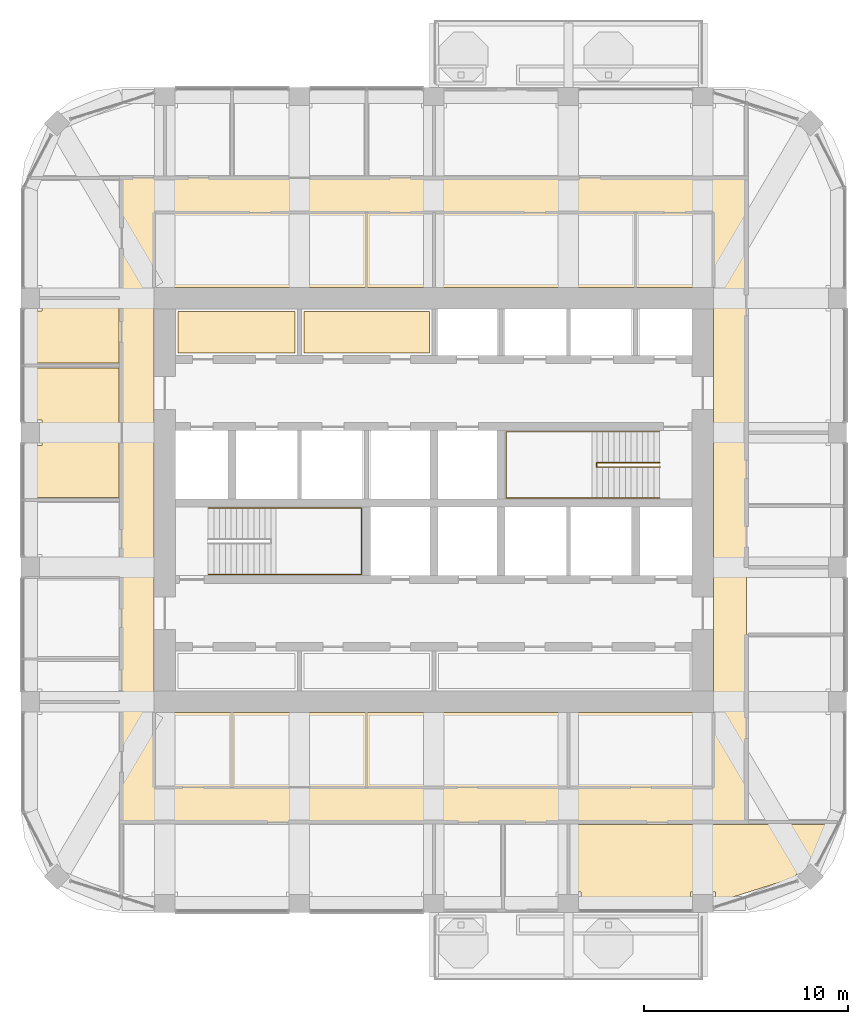
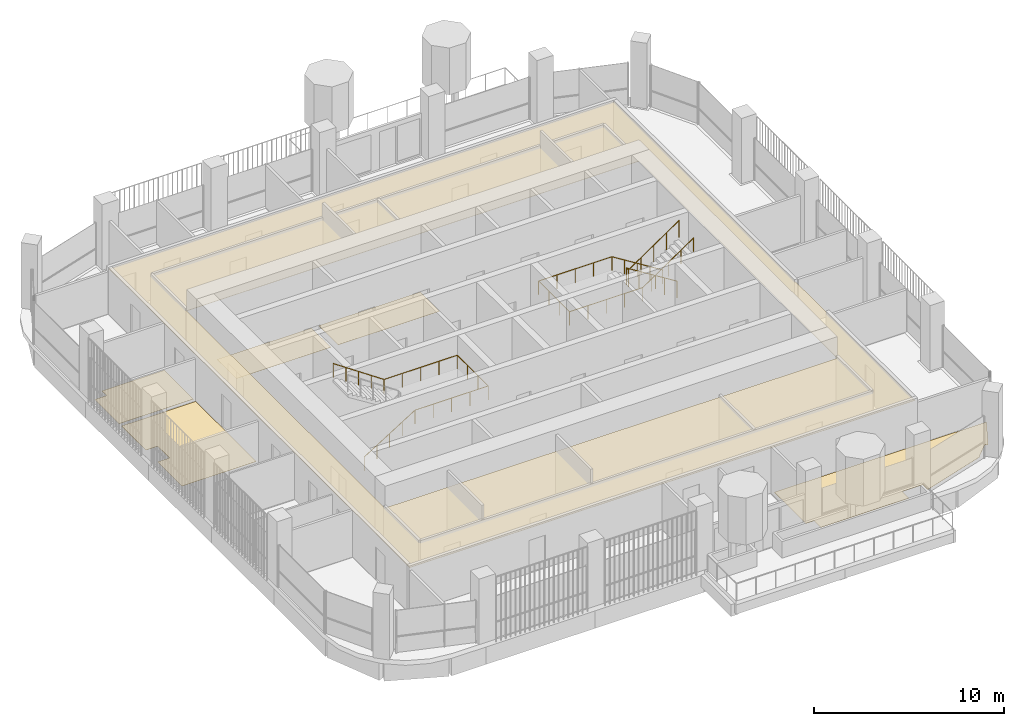
# One storey, part 19 of 21: 6 coverings, 3 railings.
"""IFC4 building model written with IfcOpenShell, lengths in metres."""

import ifcopenshell
import ifcopenshell.guid

model = None  # the IFC model being written
_history = None  # IfcOwnerHistory: only IFC2X3 demands one
_inside = {}  # id of a spatial element -> (the spatial element, [elements in it])
_under = {}  # id of a project, library or spatial element -> (it, [spatial elements below it])
_declared = {}  # id of a project -> (the project, [libraries it declares])
_typed = {}  # id of a type object -> (the type object, [elements of that type])
_made_of = {}  # id of a material, layer set ... -> (it, [elements and type objects made of it])


def new_model(schema):
    """Start an empty IFC model of exactly this schema.

    Asked for "IFC4X3", IfcOpenShell would pick the latest addendum, in which some entities
    have other attributes; the version numbers below select the first issue.
    IFC2X3 requires an IfcOwnerHistory on every rooted entity: one is made here for all.
    """
    global model, _history
    if schema == "IFC4X3":
        model = ifcopenshell.file(schema_version=(4, 3, 0, 0))
    else:
        model = ifcopenshell.file(schema=schema)
    _inside.clear()
    _under.clear()
    _declared.clear()
    _typed.clear()
    _made_of.clear()
    _history = None
    if model.schema == "IFC2X3":
        org = make("IfcOrganization", Name="unknown")
        user = make(
            "IfcPersonAndOrganization",
            ThePerson=make("IfcPerson", FamilyName="unknown"),
            TheOrganization=org,
        )
        app = make(
            "IfcApplication",
            ApplicationDeveloper=org,
            Version="unknown",
            ApplicationFullName="unknown",
            ApplicationIdentifier="unknown",
        )
        _history = make(
            "IfcOwnerHistory",
            OwningUser=user,
            OwningApplication=app,
            ChangeAction="ADDED",
            CreationDate=0,
        )
    return model


def make(cls, **values):
    """One entity of the class cls with the attributes given. An attribute that is None is left unset."""
    return model.create_entity(
        cls, **{name: value for name, value in values.items() if value is not None}
    )


def rooted(cls, **values):
    """An entity with a GlobalId (a new one), such as an element, a storey or a relation."""
    return make(cls, GlobalId=ifcopenshell.guid.new(), OwnerHistory=_history, **values)


def si_unit(unit_type, name, prefix=None):
    """IfcSIUnit, for example si_unit("LENGTHUNIT", "METRE", prefix="MILLI")."""
    return make("IfcSIUnit", UnitType=unit_type, Prefix=prefix, Name=name)


def assignment(units):
    """IfcUnitAssignment: the units of a project."""
    return None if units is None else make("IfcUnitAssignment", Units=units)


def point(xyz):
    """IfcCartesianPoint."""
    return None if xyz is None else make("IfcCartesianPoint", Coordinates=xyz)


def direction(xyz):
    """IfcDirection."""
    return None if xyz is None else make("IfcDirection", DirectionRatios=xyz)


def frame(location, z_axis=None, x_axis=None):
    """IfcAxis2Placement3D, a coordinate frame: its origin and axes. An axis left out is left unset."""
    return make(
        "IfcAxis2Placement3D",
        Location=point(location),
        Axis=direction(z_axis),
        RefDirection=direction(x_axis),
    )


def origin():
    """The frame at (0, 0, 0) with its axes left unset."""
    return frame((0.0, 0.0, 0.0))


def place(relative_to, where):
    """IfcLocalPlacement: puts the frame where relative to a parent placement (None: the world)."""
    return make(
        "IfcLocalPlacement", PlacementRelTo=relative_to, RelativePlacement=where
    )


def context(
    kind, dimensions, precision=None, world=None, true_north=None, identifier=None
):
    """IfcGeometricRepresentationContext, for example the 3D "Model" context."""
    return make(
        "IfcGeometricRepresentationContext",
        ContextIdentifier=identifier,
        ContextType=kind,
        CoordinateSpaceDimension=dimensions,
        Precision=precision,
        WorldCoordinateSystem=world,
        TrueNorth=true_north,
    )


def subcontext(parent, identifier, kind, view, scale=None):
    """IfcGeometricRepresentationSubContext, for example "Body" below "Model"."""
    return make(
        "IfcGeometricRepresentationSubContext",
        ContextIdentifier=identifier,
        ContextType=kind,
        ParentContext=parent,
        TargetScale=scale,
        TargetView=view,
    )


def project(units=None, contexts=None):
    """IfcProject with its units and contexts."""
    return rooted(
        "IfcProject",
        Name="project",
        RepresentationContexts=contexts,
        UnitsInContext=assignment(units),
    )


def spatial(cls, under=None, at=None, **own):
    """A site, building, storey or space (cls), placed at a placement, below another one or the project."""
    s = rooted(cls, ObjectPlacement=at, **own)
    if under is not None:
        _under.setdefault(under.id(), (under, []))[1].append(s)
    return s


def polyline(points):
    """IfcPolyline through the points."""
    return make("IfcPolyline", Points=[point(p) for p in points])


def outline(outer, holes=None, kind="AREA"):
    """IfcArbitraryClosedProfileDef: a profile drawn as a closed curve; with holes, ...WithVoids."""
    if holes is None:
        return make("IfcArbitraryClosedProfileDef", ProfileType=kind, OuterCurve=outer)
    return make(
        "IfcArbitraryProfileDefWithVoids",
        ProfileType=kind,
        OuterCurve=outer,
        InnerCurves=holes,
    )


def extrude(swept, where, along, depth):
    """IfcExtrudedAreaSolid: the profile swept, set in the frame where, extruded along a direction by depth."""
    return make(
        "IfcExtrudedAreaSolid",
        SweptArea=swept,
        Position=where,
        ExtrudedDirection=direction(along),
        Depth=depth,
    )


def shape(context_of_items, identifier, shape_type, items):
    """IfcShapeRepresentation: the items that make up one representation, for example the "Body"."""
    return make(
        "IfcShapeRepresentation",
        ContextOfItems=context_of_items,
        RepresentationIdentifier=identifier,
        RepresentationType=shape_type,
        Items=items,
    )


def material(Name=None, Category=None):
    """IfcMaterial."""
    return make("IfcMaterial", Name=Name, Category=Category)


def layer(
    of_material, thickness, ventilated=None, Name=None, Category=None, Priority=None
):
    """IfcMaterialLayer: one layer of a wall or slab, of a material (None: an air gap)."""
    return make(
        "IfcMaterialLayer",
        Material=of_material,
        LayerThickness=thickness,
        IsVentilated=ventilated,
        Name=Name,
        Category=Category,
        Priority=Priority,
    )


def layer_set(layers, Name=None):
    """IfcMaterialLayerSet."""
    return make("IfcMaterialLayerSet", MaterialLayers=layers, LayerSetName=Name)


def made_of(thing, what):
    """Note that an element or type object is made of a material, layer set ...; save() writes the relation."""
    if what is not None:
        _made_of.setdefault(what.id(), (what, []))[1].append(thing)
    return thing


def type_object(cls, material=None, **own):
    """A type object (cls), such as IfcWallType, which elements share."""
    return made_of(rooted(cls, **own), material)


def element(
    cls,
    number,
    at=None,
    inside=None,
    cuts=None,
    type_object=None,
    material=None,
    context=None,
    identifier="Body",
    shape_type=None,
    held_by="IfcProductDefinitionShape",
    body=None,
    shapes=None,
    **own,
):
    """One element of the class cls, such as IfcWall. Its Tag is "e" and its number.

    at: its placement. inside: the storey or other place that contains it. cuts: it is an
    opening in that element (IfcRelVoidsElement). A single representation is given by context,
    identifier, shape_type and body (its items); several are given by shapes. held_by: the class
    of the entity that holds the representations. save() writes the other relations.
    """
    e = rooted(cls, Tag="e%d" % number, ObjectPlacement=at, **own)
    if body is not None:
        shapes = [shape(context, identifier, shape_type, body)]
    if shapes is not None:
        e.Representation = make(held_by, Representations=shapes)
    if inside is not None:
        _inside.setdefault(inside.id(), (inside, []))[1].append(e)
    if cuts is not None:
        rooted(
            "IfcRelVoidsElement", RelatingBuildingElement=cuts, RelatedOpeningElement=e
        )
    if type_object is not None:
        _typed.setdefault(type_object.id(), (type_object, []))[1].append(e)
    return made_of(e, material)


def aggregate(whole, parts):
    """IfcRelAggregates: a whole, such as a stair, and the parts it consists of."""
    return rooted("IfcRelAggregates", RelatingObject=whole, RelatedObjects=parts)


def save(model, path):
    """Write the relations noted so far, then the file.

    IfcRelAggregates (storeys below a building ...), IfcRelContainedInSpatialStructure (elements
    in a storey), IfcRelDefinesByType, IfcRelAssociatesMaterial and IfcRelDeclares: one each for
    every whole, place, type object, material and project.
    """
    for whole, parts in _under.values():
        aggregate(whole, parts)
    for where, things in _inside.values():
        rooted(
            "IfcRelContainedInSpatialStructure",
            RelatedElements=things,
            RelatingStructure=where,
        )
    for kind, things in _typed.values():
        rooted("IfcRelDefinesByType", RelatedObjects=things, RelatingType=kind)
    for what, things in _made_of.values():
        rooted("IfcRelAssociatesMaterial", RelatedObjects=things, RelatingMaterial=what)
    for by, libraries in _declared.values():
        rooted("IfcRelDeclares", RelatingContext=by, RelatedDefinitions=libraries)
    model.write(path)


model = new_model("IFC4")

# Units and contexts
model_context = context("Model", 3, precision=1e-05, world=origin(), true_north=direction((0.0, 1.0)))
body_context = subcontext(model_context, "Body", "Model", "MODEL_VIEW")
ifc_project = project(units=[si_unit("LENGTHUNIT", "METRE"), si_unit("AREAUNIT", "SQUARE_METRE"), si_unit("VOLUMEUNIT", "CUBIC_METRE"), si_unit("PLANEANGLEUNIT", "RADIAN"), si_unit("MASSUNIT", "GRAM", prefix="KILO")], contexts=[model_context])

# Site, building, storey
site_placement = place(None, origin())
site = spatial("IfcSite", under=ifc_project, at=site_placement, CompositionType="ELEMENT")
building_placement = place(site_placement, origin())
building = spatial("IfcBuilding", under=site, at=building_placement, Name="Cobogo Forest Laboratory Tower", CompositionType="ELEMENT")
storey_placement = place(building_placement, frame((0.0, 0.0, 267.0)))
storey = spatial("IfcBuildingStorey", under=building, at=storey_placement, Name="L61", CompositionType="ELEMENT", Elevation=267.0)

# Coverings
ifc_material_1 = material(Name="Mineral fibre ceiling tile", Category="ceiling")
ifc_layer_1 = layer(ifc_material_1, 0.02001953125)
ifc_layer_set_1 = layer_set([ifc_layer_1], Name="CL1 suspended ceiling")
covering_type_1 = type_object("IfcCoveringType", Name="CL1 suspended ceiling", PredefinedType="CEILING", material=ifc_layer_set_1)
covering_1_placement = place(storey_placement, frame((0.0, 0.0, 2.800048828125)))
element("IfcCovering", 1, at=covering_1_placement, inside=storey, type_object=covering_type_1, Name="Corridor ceiling L61", PredefinedType="CEILING", context=body_context, shape_type="SweptSolid", body=[
    extrude(outline(polyline([(11.074951171875, 7.300048828125), (11.074951171875, 38.89990234375), (41.72509765625, 38.89990234375), (41.72509765625, 7.300048828125), (11.074951171875, 7.300048828125)]), holes=[polyline([(40.125, 33.52490234375), (12.675048828125, 33.52490234375), (12.675048828125, 12.675048828125), (40.125, 12.675048828125), (40.125, 33.52490234375)])]), origin(), (0.0, 0.0, 1.0), 0.02001953125),
])
ifc_material_2 = material(Name="Carpet tile on raised access floor", Category="flooring")
ifc_layer_2 = layer(ifc_material_2, 0.008056640625)
ifc_layer_set_2 = layer_set([ifc_layer_2], Name="CT1 carpet tile floor 8")
covering_type_2 = type_object("IfcCoveringType", Name="CT1 carpet tile floor 8", PredefinedType="FLOORING", material=ifc_layer_set_2)
covering_2_placement = place(storey_placement, origin())
element("IfcCovering", 2, at=covering_2_placement, inside=storey, type_object=covering_type_2, Name="Carpet floor L61-12", PredefinedType="FLOORING", context=body_context, shape_type="SweptSolid", body=[
    extrude(outline(polyline([(44.10986328125, 4.583984375), (40.219970703125, 3.35546875), (40.219970703125, 3.8701171875), (38.97998046875, 3.8701171875), (38.97998046875, 3.14990234375), (33.6201171875, 3.14990234375), (33.6201171875, 3.8701171875), (33.1201171875, 3.8701171875), (33.1201171875, 7.179931640625), (45.999267578125, 7.179931640625), (45.010986328125, 5.294921875), (44.882080078125, 5.424072265625), (44.075927734375, 4.617919921875), (44.10986328125, 4.583984375)])), origin(), (0.0, 0.0, 1.0), 0.008056640625),
])
covering_3_placement = place(storey_placement, origin())
element("IfcCovering", 3, at=covering_3_placement, inside=storey, type_object=covering_type_2, Name="Carpet floor L61-26", PredefinedType="FLOORING", context=body_context, shape_type="SweptSolid", body=[
    extrude(outline(polyline([(10.955078125, 23.219970703125), (6.449951171875, 23.219970703125), (6.449951171875, 25.780029296875), (7.169921875, 25.780029296875), (7.169921875, 27.02001953125), (6.449951171875, 27.02001953125), (6.449951171875, 29.580078125), (10.955078125, 29.580078125), (10.955078125, 23.219970703125)])), origin(), (0.0, 0.0, 1.0), 0.008056640625),
])
covering_4_placement = place(storey_placement, origin())
element("IfcCovering", 4, at=covering_4_placement, inside=storey, type_object=covering_type_2, Name="Carpet floor L61-27", PredefinedType="FLOORING", context=body_context, shape_type="SweptSolid", body=[
    extrude(outline(polyline([(10.955078125, 29.820068359375), (6.449951171875, 29.820068359375), (6.449951171875, 32.3798828125), (7.169921875, 32.3798828125), (7.169921875, 32.8798828125), (10.955078125, 32.8798828125), (10.955078125, 29.820068359375)])), origin(), (0.0, 0.0, 1.0), 0.008056640625),
])
covering_5_placement = place(storey_placement, origin())
element("IfcCovering", 5, at=covering_5_placement, inside=storey, type_object=covering_type_2, Name="Carpet floor L61-39", PredefinedType="FLOORING", context=body_context, shape_type="SweptSolid", body=[
    extrude(outline(polyline([(19.580078125, 30.320068359375), (13.844970703125, 30.320068359375), (13.844970703125, 32.35498046875), (19.580078125, 32.35498046875), (19.580078125, 30.320068359375)])), origin(), (0.0, 0.0, 1.0), 0.008056640625),
])
covering_6_placement = place(storey_placement, origin())
element("IfcCovering", 6, at=covering_6_placement, inside=storey, type_object=covering_type_2, Name="Carpet floor L61-40", PredefinedType="FLOORING", context=body_context, shape_type="SweptSolid", body=[
    extrude(outline(polyline([(26.179931640625, 30.320068359375), (20.02001953125, 30.320068359375), (20.02001953125, 32.35498046875), (26.179931640625, 32.35498046875), (26.179931640625, 30.320068359375)])), origin(), (0.0, 0.0, 1.0), 0.008056640625),
])

# Railings
ifc_material_3 = material(Name="Steel balustrade", Category="steel")
railing_type_1 = type_object("IfcRailingType", Name="GR stair guard 1100", PredefinedType="GUARDRAIL", material=ifc_material_3)
railing_1_placement = place(storey_placement, frame((37.47509765625, 24.929931640625, 0.175048828125)))
element("IfcRailing", 7, at=railing_1_placement, inside=storey, type_object=railing_type_1, Name="Stair guard ST2 L61", PredefinedType="GUARDRAIL", context=body_context, shape_type="SweptSolid", body=[
    extrude(outline(polyline([(0.022216796875, 0.00927734375), (0.00927734375, 0.022216796875), (-0.00927734375, 0.022216796875), (-0.022216796875, 0.00927734375), (-0.022216796875, -0.00927734375), (-0.00927734375, -0.022216796875), (0.00927734375, -0.022216796875), (0.022216796875, -0.00927734375), (0.022216796875, 0.00927734375)])), frame((0.0, 0.0, 1.077880859375), z_axis=(-0.847998304005, 0.0, 0.529998940003), x_axis=(0.0, -1.0, 0.0)), (0.0, 0.0, 1.0), 3.632080078125),
    extrude(outline(polyline([(0.022216796875, 0.00927734375), (0.00927734375, 0.022216796875), (-0.00927734375, 0.022216796875), (-0.022216796875, 0.00927734375), (-0.022216796875, -0.00927734375), (-0.00927734375, -0.022216796875), (0.00927734375, -0.022216796875), (0.022216796875, -0.00927734375), (0.022216796875, 0.00927734375)])), frame((-3.080078125, 0.0, 3.0029296875), z_axis=(0.0, -1.0, 0.0), x_axis=(1.0, 0.0, 0.0)), (0.0, 0.0, 1.0), 0.2099609375),
    extrude(outline(polyline([(0.022216796875, 0.00927734375), (0.00927734375, 0.022216796875), (-0.00927734375, 0.022216796875), (-0.022216796875, 0.00927734375), (-0.022216796875, -0.00927734375), (-0.00927734375, -0.022216796875), (0.00927734375, -0.022216796875), (0.022216796875, -0.00927734375), (0.022216796875, 0.00927734375)])), frame((-3.080078125, -0.2099609375, 3.0029296875), z_axis=(0.826252282691, 0.0, 0.563300244406), x_axis=(0.0, 1.0, 0.0)), (0.0, 0.0, 1.0), 3.727783203125),
    extrude(outline(polyline([(0.019287109375, 0.008056640625), (0.008056640625, 0.019287109375), (-0.008056640625, 0.019287109375), (-0.019287109375, 0.008056640625), (-0.019287109375, -0.008056640625), (-0.008056640625, -0.019287109375), (0.008056640625, -0.019287109375), (0.019287109375, -0.008056640625), (0.019287109375, 0.008056640625)])), origin(), (0.0, 0.0, 1.0), 1.077880859375),
    extrude(outline(polyline([(0.019287109375, 0.008056640625), (0.008056640625, 0.019287109375), (-0.008056640625, 0.019287109375), (-0.019287109375, 0.008056640625), (-0.019287109375, -0.008056640625), (-0.008056640625, -0.019287109375), (0.008056640625, -0.019287109375), (0.019287109375, -0.008056640625), (0.019287109375, 0.008056640625)])), frame((-0.77001953125, 0.0, 0.481201171875)), (0.0, 0.0, 1.0), 1.077880859375),
    extrude(outline(polyline([(0.019287109375, 0.008056640625), (0.008056640625, 0.019287109375), (-0.008056640625, 0.019287109375), (-0.019287109375, 0.008056640625), (-0.019287109375, -0.008056640625), (-0.008056640625, -0.019287109375), (0.008056640625, -0.019287109375), (0.019287109375, -0.008056640625), (0.019287109375, 0.008056640625)])), frame((-1.5400390625, 0.0, 0.96240234375)), (0.0, 0.0, 1.0), 1.077880859375),
    extrude(outline(polyline([(0.019287109375, 0.008056640625), (0.008056640625, 0.019287109375), (-0.008056640625, 0.019287109375), (-0.019287109375, 0.008056640625), (-0.019287109375, -0.008056640625), (-0.008056640625, -0.019287109375), (0.008056640625, -0.019287109375), (0.019287109375, -0.008056640625), (0.019287109375, 0.008056640625)])), frame((-2.31005859375, 0.0, 1.44384765625)), (0.0, 0.0, 1.0), 1.077880859375),
    extrude(outline(polyline([(0.019287109375, 0.008056640625), (0.008056640625, 0.019287109375), (-0.008056640625, 0.019287109375), (-0.019287109375, 0.008056640625), (-0.019287109375, -0.008056640625), (-0.008056640625, -0.019287109375), (0.008056640625, -0.019287109375), (0.019287109375, -0.008056640625), (0.019287109375, 0.008056640625)])), frame((-3.080078125, 0.0, 1.925048828125)), (0.0, 0.0, 1.0), 1.077880859375),
    extrude(outline(polyline([(0.019287109375, 0.008056640625), (0.008056640625, 0.019287109375), (-0.008056640625, 0.019287109375), (-0.019287109375, 0.008056640625), (-0.019287109375, -0.008056640625), (-0.008056640625, -0.019287109375), (0.008056640625, -0.019287109375), (0.019287109375, -0.008056640625), (0.019287109375, 0.008056640625)])), frame((-3.080078125, -0.2099609375, 1.925048828125)), (0.0, 0.0, 1.0), 1.077880859375),
    extrude(outline(polyline([(0.019287109375, 0.008056640625), (0.008056640625, 0.019287109375), (-0.008056640625, 0.019287109375), (-0.019287109375, 0.008056640625), (-0.019287109375, -0.008056640625), (-0.008056640625, -0.019287109375), (0.008056640625, -0.019287109375), (0.019287109375, -0.008056640625), (0.019287109375, 0.008056640625)])), frame((-2.31005859375, -0.2099609375, 2.449951171875)), (0.0, 0.0, 1.0), 1.077880859375),
    extrude(outline(polyline([(0.019287109375, 0.008056640625), (0.008056640625, 0.019287109375), (-0.008056640625, 0.019287109375), (-0.019287109375, 0.008056640625), (-0.019287109375, -0.008056640625), (-0.008056640625, -0.019287109375), (0.008056640625, -0.019287109375), (0.019287109375, -0.008056640625), (0.019287109375, 0.008056640625)])), frame((-1.5400390625, -0.2099609375, 2.97509765625)), (0.0, 0.0, 1.0), 1.077880859375),
    extrude(outline(polyline([(0.019287109375, 0.008056640625), (0.008056640625, 0.019287109375), (-0.008056640625, 0.019287109375), (-0.019287109375, 0.008056640625), (-0.019287109375, -0.008056640625), (-0.008056640625, -0.019287109375), (0.008056640625, -0.019287109375), (0.019287109375, -0.008056640625), (0.019287109375, 0.008056640625)])), frame((-0.77001953125, -0.2099609375, 3.5)), (0.0, 0.0, 1.0), 1.077880859375),
    extrude(outline(polyline([(0.019287109375, 0.008056640625), (0.008056640625, 0.019287109375), (-0.008056640625, 0.019287109375), (-0.019287109375, 0.008056640625), (-0.019287109375, -0.008056640625), (-0.008056640625, -0.019287109375), (0.008056640625, -0.019287109375), (0.019287109375, -0.008056640625), (0.019287109375, 0.008056640625)])), frame((0.0, -0.2099609375, 4.02490234375)), (0.0, 0.0, 1.0), 1.077880859375),
])
ifc_material_4 = material(Name="Stainless steel handrail", Category="steel")
railing_type_2 = type_object("IfcRailingType", Name="HR handrail 900", PredefinedType="HANDRAIL", material=ifc_material_4)
railing_2_placement = place(storey_placement, frame((15.324951171875, 19.449951171875, 0.175048828125)))
element("IfcRailing", 8, at=railing_2_placement, inside=storey, type_object=railing_type_2, Name="Stair handrail ST1 L61", PredefinedType="HANDRAIL", context=body_context, shape_type="SweptSolid", body=[
    extrude(outline(polyline([(0.022216796875, 0.00927734375), (0.00927734375, 0.022216796875), (-0.00927734375, 0.022216796875), (-0.022216796875, 0.00927734375), (-0.022216796875, -0.00927734375), (-0.00927734375, -0.022216796875), (0.00927734375, -0.022216796875), (0.022216796875, -0.00927734375), (0.022216796875, 0.00927734375)])), frame((0.0, 0.0, 0.877685546875), z_axis=(0.847998304005, 0.0, 0.529998940003), x_axis=(0.0, 1.0, 0.0)), (0.0, 0.0, 1.0), 3.632080078125),
    extrude(outline(polyline([(0.022216796875, 0.00927734375), (0.00927734375, 0.022216796875), (-0.00927734375, 0.022216796875), (-0.022216796875, 0.00927734375), (-0.022216796875, -0.00927734375), (-0.00927734375, -0.022216796875), (0.00927734375, -0.022216796875), (0.022216796875, -0.00927734375), (0.022216796875, 0.00927734375)])), frame((3.080078125, 0.0, 2.802734375), z_axis=(1.0, 0.0, 0.0), x_axis=(0.0, 1.0, 0.0)), (0.0, 0.0, 1.0), 4.445068359375),
    extrude(outline(polyline([(0.022216796875, 0.00927734375), (0.00927734375, 0.022216796875), (-0.00927734375, 0.022216796875), (-0.022216796875, 0.00927734375), (-0.022216796875, -0.00927734375), (-0.00927734375, -0.022216796875), (0.00927734375, -0.022216796875), (0.022216796875, -0.00927734375), (0.022216796875, 0.00927734375)])), frame((7.525146484375, 0.0, 2.802734375), z_axis=(0.0, 1.0, 0.0), x_axis=(-1.0, 0.0, 0.0)), (0.0, 0.0, 1.0), 3.25),
    extrude(outline(polyline([(0.022216796875, 0.00927734375), (0.00927734375, 0.022216796875), (-0.00927734375, 0.022216796875), (-0.022216796875, 0.00927734375), (-0.022216796875, -0.00927734375), (-0.00927734375, -0.022216796875), (0.00927734375, -0.022216796875), (0.022216796875, -0.00927734375), (0.022216796875, 0.00927734375)])), frame((7.525146484375, 3.25, 2.802734375), z_axis=(-1.0, 0.0, 0.0), x_axis=(0.0, -1.0, 0.0)), (0.0, 0.0, 1.0), 4.445068359375),
    extrude(outline(polyline([(0.022216796875, 0.00927734375), (0.00927734375, 0.022216796875), (-0.00927734375, 0.022216796875), (-0.022216796875, 0.00927734375), (-0.022216796875, -0.00927734375), (-0.00927734375, -0.022216796875), (0.00927734375, -0.022216796875), (0.022216796875, -0.00927734375), (0.022216796875, 0.00927734375)])), frame((3.080078125, 3.25, 2.802734375), z_axis=(-0.826252282691, 0.0, 0.563300244406), x_axis=(0.0, -1.0, 0.0)), (0.0, 0.0, 1.0), 3.727783203125),
    extrude(outline(polyline([(0.019287109375, 0.008056640625), (0.008056640625, 0.019287109375), (-0.008056640625, 0.019287109375), (-0.019287109375, 0.008056640625), (-0.019287109375, -0.008056640625), (-0.008056640625, -0.019287109375), (0.008056640625, -0.019287109375), (0.019287109375, -0.008056640625), (0.019287109375, 0.008056640625)])), origin(), (0.0, 0.0, 1.0), 0.877685546875),
    extrude(outline(polyline([(0.019287109375, 0.008056640625), (0.008056640625, 0.019287109375), (-0.008056640625, 0.019287109375), (-0.019287109375, 0.008056640625), (-0.019287109375, -0.008056640625), (-0.008056640625, -0.019287109375), (0.008056640625, -0.019287109375), (0.019287109375, -0.008056640625), (0.019287109375, 0.008056640625)])), frame((0.77001953125, 0.0, 0.481201171875)), (0.0, 0.0, 1.0), 0.877685546875),
    extrude(outline(polyline([(0.019287109375, 0.008056640625), (0.008056640625, 0.019287109375), (-0.008056640625, 0.019287109375), (-0.019287109375, 0.008056640625), (-0.019287109375, -0.008056640625), (-0.008056640625, -0.019287109375), (0.008056640625, -0.019287109375), (0.019287109375, -0.008056640625), (0.019287109375, 0.008056640625)])), frame((1.5400390625, 0.0, 0.96240234375)), (0.0, 0.0, 1.0), 0.877685546875),
    extrude(outline(polyline([(0.019287109375, 0.008056640625), (0.008056640625, 0.019287109375), (-0.008056640625, 0.019287109375), (-0.019287109375, 0.008056640625), (-0.019287109375, -0.008056640625), (-0.008056640625, -0.019287109375), (0.008056640625, -0.019287109375), (0.019287109375, -0.008056640625), (0.019287109375, 0.008056640625)])), frame((2.31005859375, 0.0, 1.44384765625)), (0.0, 0.0, 1.0), 0.877685546875),
    extrude(outline(polyline([(0.019287109375, 0.008056640625), (0.008056640625, 0.019287109375), (-0.008056640625, 0.019287109375), (-0.019287109375, 0.008056640625), (-0.019287109375, -0.008056640625), (-0.008056640625, -0.019287109375), (0.008056640625, -0.019287109375), (0.019287109375, -0.008056640625), (0.019287109375, 0.008056640625)])), frame((3.080078125, 0.0, 1.925048828125)), (0.0, 0.0, 1.0), 0.877685546875),
    extrude(outline(polyline([(0.019287109375, 0.008056640625), (0.008056640625, 0.019287109375), (-0.008056640625, 0.019287109375), (-0.019287109375, 0.008056640625), (-0.019287109375, -0.008056640625), (-0.008056640625, -0.019287109375), (0.008056640625, -0.019287109375), (0.019287109375, -0.008056640625), (0.019287109375, 0.008056640625)])), frame((4.19140625, 0.0, 1.925048828125)), (0.0, 0.0, 1.0), 0.877685546875),
    extrude(outline(polyline([(0.019287109375, 0.008056640625), (0.008056640625, 0.019287109375), (-0.008056640625, 0.019287109375), (-0.019287109375, 0.008056640625), (-0.019287109375, -0.008056640625), (-0.008056640625, -0.019287109375), (0.008056640625, -0.019287109375), (0.019287109375, -0.008056640625), (0.019287109375, 0.008056640625)])), frame((5.302734375, 0.0, 1.925048828125)), (0.0, 0.0, 1.0), 0.877685546875),
    extrude(outline(polyline([(0.019287109375, 0.008056640625), (0.008056640625, 0.019287109375), (-0.008056640625, 0.019287109375), (-0.019287109375, 0.008056640625), (-0.019287109375, -0.008056640625), (-0.008056640625, -0.019287109375), (0.008056640625, -0.019287109375), (0.019287109375, -0.008056640625), (0.019287109375, 0.008056640625)])), frame((6.413818359375, 0.0, 1.925048828125)), (0.0, 0.0, 1.0), 0.877685546875),
    extrude(outline(polyline([(0.019287109375, 0.008056640625), (0.008056640625, 0.019287109375), (-0.008056640625, 0.019287109375), (-0.019287109375, 0.008056640625), (-0.019287109375, -0.008056640625), (-0.008056640625, -0.019287109375), (0.008056640625, -0.019287109375), (0.019287109375, -0.008056640625), (0.019287109375, 0.008056640625)])), frame((7.525146484375, 0.0, 1.925048828125)), (0.0, 0.0, 1.0), 0.877685546875),
    extrude(outline(polyline([(0.019287109375, 0.008056640625), (0.008056640625, 0.019287109375), (-0.008056640625, 0.019287109375), (-0.019287109375, 0.008056640625), (-0.019287109375, -0.008056640625), (-0.008056640625, -0.019287109375), (0.008056640625, -0.019287109375), (0.019287109375, -0.008056640625), (0.019287109375, 0.008056640625)])), frame((7.525146484375, 1.083251953125, 1.925048828125)), (0.0, 0.0, 1.0), 0.877685546875),
    extrude(outline(polyline([(0.019287109375, 0.008056640625), (0.008056640625, 0.019287109375), (-0.008056640625, 0.019287109375), (-0.019287109375, 0.008056640625), (-0.019287109375, -0.008056640625), (-0.008056640625, -0.019287109375), (0.008056640625, -0.019287109375), (0.019287109375, -0.008056640625), (0.019287109375, 0.008056640625)])), frame((7.525146484375, 2.166748046875, 1.925048828125)), (0.0, 0.0, 1.0), 0.877685546875),
    extrude(outline(polyline([(0.019287109375, 0.008056640625), (0.008056640625, 0.019287109375), (-0.008056640625, 0.019287109375), (-0.019287109375, 0.008056640625), (-0.019287109375, -0.008056640625), (-0.008056640625, -0.019287109375), (0.008056640625, -0.019287109375), (0.019287109375, -0.008056640625), (0.019287109375, 0.008056640625)])), frame((7.525146484375, 3.25, 1.925048828125)), (0.0, 0.0, 1.0), 0.877685546875),
    extrude(outline(polyline([(0.019287109375, 0.008056640625), (0.008056640625, 0.019287109375), (-0.008056640625, 0.019287109375), (-0.019287109375, 0.008056640625), (-0.019287109375, -0.008056640625), (-0.008056640625, -0.019287109375), (0.008056640625, -0.019287109375), (0.019287109375, -0.008056640625), (0.019287109375, 0.008056640625)])), frame((6.413818359375, 3.25, 1.925048828125)), (0.0, 0.0, 1.0), 0.877685546875),
    extrude(outline(polyline([(0.019287109375, 0.008056640625), (0.008056640625, 0.019287109375), (-0.008056640625, 0.019287109375), (-0.019287109375, 0.008056640625), (-0.019287109375, -0.008056640625), (-0.008056640625, -0.019287109375), (0.008056640625, -0.019287109375), (0.019287109375, -0.008056640625), (0.019287109375, 0.008056640625)])), frame((5.302734375, 3.25, 1.925048828125)), (0.0, 0.0, 1.0), 0.877685546875),
    extrude(outline(polyline([(0.019287109375, 0.008056640625), (0.008056640625, 0.019287109375), (-0.008056640625, 0.019287109375), (-0.019287109375, 0.008056640625), (-0.019287109375, -0.008056640625), (-0.008056640625, -0.019287109375), (0.008056640625, -0.019287109375), (0.019287109375, -0.008056640625), (0.019287109375, 0.008056640625)])), frame((4.19140625, 3.25, 1.925048828125)), (0.0, 0.0, 1.0), 0.877685546875),
    extrude(outline(polyline([(0.019287109375, 0.008056640625), (0.008056640625, 0.019287109375), (-0.008056640625, 0.019287109375), (-0.019287109375, 0.008056640625), (-0.019287109375, -0.008056640625), (-0.008056640625, -0.019287109375), (0.008056640625, -0.019287109375), (0.019287109375, -0.008056640625), (0.019287109375, 0.008056640625)])), frame((3.080078125, 3.25, 1.925048828125)), (0.0, 0.0, 1.0), 0.877685546875),
    extrude(outline(polyline([(0.019287109375, 0.008056640625), (0.008056640625, 0.019287109375), (-0.008056640625, 0.019287109375), (-0.019287109375, 0.008056640625), (-0.019287109375, -0.008056640625), (-0.008056640625, -0.019287109375), (0.008056640625, -0.019287109375), (0.019287109375, -0.008056640625), (0.019287109375, 0.008056640625)])), frame((2.31005859375, 3.25, 2.449951171875)), (0.0, 0.0, 1.0), 0.877685546875),
    extrude(outline(polyline([(0.019287109375, 0.008056640625), (0.008056640625, 0.019287109375), (-0.008056640625, 0.019287109375), (-0.019287109375, 0.008056640625), (-0.019287109375, -0.008056640625), (-0.008056640625, -0.019287109375), (0.008056640625, -0.019287109375), (0.019287109375, -0.008056640625), (0.019287109375, 0.008056640625)])), frame((1.5400390625, 3.25, 2.97509765625)), (0.0, 0.0, 1.0), 0.877685546875),
    extrude(outline(polyline([(0.019287109375, 0.008056640625), (0.008056640625, 0.019287109375), (-0.008056640625, 0.019287109375), (-0.019287109375, 0.008056640625), (-0.019287109375, -0.008056640625), (-0.008056640625, -0.019287109375), (0.008056640625, -0.019287109375), (0.019287109375, -0.008056640625), (0.019287109375, 0.008056640625)])), frame((0.77001953125, 3.25, 3.5)), (0.0, 0.0, 1.0), 0.877685546875),
    extrude(outline(polyline([(0.019287109375, 0.008056640625), (0.008056640625, 0.019287109375), (-0.008056640625, 0.019287109375), (-0.019287109375, 0.008056640625), (-0.019287109375, -0.008056640625), (-0.008056640625, -0.019287109375), (0.008056640625, -0.019287109375), (0.019287109375, -0.008056640625), (0.019287109375, 0.008056640625)])), frame((0.0, 3.25, 4.02490234375)), (0.0, 0.0, 1.0), 0.877685546875),
])
railing_3_placement = place(storey_placement, frame((37.47509765625, 26.449951171875, 0.175048828125)))
element("IfcRailing", 9, at=railing_3_placement, inside=storey, type_object=railing_type_2, Name="Stair handrail ST2 L61", PredefinedType="HANDRAIL", context=body_context, shape_type="SweptSolid", body=[
    extrude(outline(polyline([(0.022216796875, 0.00927734375), (0.00927734375, 0.022216796875), (-0.00927734375, 0.022216796875), (-0.022216796875, 0.00927734375), (-0.022216796875, -0.00927734375), (-0.00927734375, -0.022216796875), (0.00927734375, -0.022216796875), (0.022216796875, -0.00927734375), (0.022216796875, 0.00927734375)])), frame((0.0, 0.0, 0.877685546875), z_axis=(-0.847998304005, 0.0, 0.529998940003), x_axis=(0.0, -1.0, 0.0)), (0.0, 0.0, 1.0), 3.632080078125),
    extrude(outline(polyline([(0.022216796875, 0.00927734375), (0.00927734375, 0.022216796875), (-0.00927734375, 0.022216796875), (-0.022216796875, 0.00927734375), (-0.022216796875, -0.00927734375), (-0.00927734375, -0.022216796875), (0.00927734375, -0.022216796875), (0.022216796875, -0.00927734375), (0.022216796875, 0.00927734375)])), frame((-3.080078125, 0.0, 2.802734375), z_axis=(-1.0, 0.0, 0.0), x_axis=(0.0, -1.0, 0.0)), (0.0, 0.0, 1.0), 4.445068359375),
    extrude(outline(polyline([(0.022216796875, 0.00927734375), (0.00927734375, 0.022216796875), (-0.00927734375, 0.022216796875), (-0.022216796875, 0.00927734375), (-0.022216796875, -0.00927734375), (-0.00927734375, -0.022216796875), (0.00927734375, -0.022216796875), (0.022216796875, -0.00927734375), (0.022216796875, 0.00927734375)])), frame((-7.525146484375, 0.0, 2.802734375), z_axis=(0.0, -1.0, 0.0), x_axis=(1.0, 0.0, 0.0)), (0.0, 0.0, 1.0), 3.25),
    extrude(outline(polyline([(0.022216796875, 0.00927734375), (0.00927734375, 0.022216796875), (-0.00927734375, 0.022216796875), (-0.022216796875, 0.00927734375), (-0.022216796875, -0.00927734375), (-0.00927734375, -0.022216796875), (0.00927734375, -0.022216796875), (0.022216796875, -0.00927734375), (0.022216796875, 0.00927734375)])), frame((-7.525146484375, -3.25, 2.802734375), z_axis=(1.0, 0.0, 0.0), x_axis=(0.0, 1.0, 0.0)), (0.0, 0.0, 1.0), 4.445068359375),
    extrude(outline(polyline([(0.022216796875, 0.00927734375), (0.00927734375, 0.022216796875), (-0.00927734375, 0.022216796875), (-0.022216796875, 0.00927734375), (-0.022216796875, -0.00927734375), (-0.00927734375, -0.022216796875), (0.00927734375, -0.022216796875), (0.022216796875, -0.00927734375), (0.022216796875, 0.00927734375)])), frame((-3.080078125, -3.25, 2.802734375), z_axis=(0.826252282691, 0.0, 0.563300244406), x_axis=(0.0, 1.0, 0.0)), (0.0, 0.0, 1.0), 3.727783203125),
    extrude(outline(polyline([(0.019287109375, 0.008056640625), (0.008056640625, 0.019287109375), (-0.008056640625, 0.019287109375), (-0.019287109375, 0.008056640625), (-0.019287109375, -0.008056640625), (-0.008056640625, -0.019287109375), (0.008056640625, -0.019287109375), (0.019287109375, -0.008056640625), (0.019287109375, 0.008056640625)])), origin(), (0.0, 0.0, 1.0), 0.877685546875),
    extrude(outline(polyline([(0.019287109375, 0.008056640625), (0.008056640625, 0.019287109375), (-0.008056640625, 0.019287109375), (-0.019287109375, 0.008056640625), (-0.019287109375, -0.008056640625), (-0.008056640625, -0.019287109375), (0.008056640625, -0.019287109375), (0.019287109375, -0.008056640625), (0.019287109375, 0.008056640625)])), frame((-0.77001953125, 0.0, 0.481201171875)), (0.0, 0.0, 1.0), 0.877685546875),
    extrude(outline(polyline([(0.019287109375, 0.008056640625), (0.008056640625, 0.019287109375), (-0.008056640625, 0.019287109375), (-0.019287109375, 0.008056640625), (-0.019287109375, -0.008056640625), (-0.008056640625, -0.019287109375), (0.008056640625, -0.019287109375), (0.019287109375, -0.008056640625), (0.019287109375, 0.008056640625)])), frame((-1.5400390625, 0.0, 0.96240234375)), (0.0, 0.0, 1.0), 0.877685546875),
    extrude(outline(polyline([(0.019287109375, 0.008056640625), (0.008056640625, 0.019287109375), (-0.008056640625, 0.019287109375), (-0.019287109375, 0.008056640625), (-0.019287109375, -0.008056640625), (-0.008056640625, -0.019287109375), (0.008056640625, -0.019287109375), (0.019287109375, -0.008056640625), (0.019287109375, 0.008056640625)])), frame((-2.31005859375, 0.0, 1.44384765625)), (0.0, 0.0, 1.0), 0.877685546875),
    extrude(outline(polyline([(0.019287109375, 0.008056640625), (0.008056640625, 0.019287109375), (-0.008056640625, 0.019287109375), (-0.019287109375, 0.008056640625), (-0.019287109375, -0.008056640625), (-0.008056640625, -0.019287109375), (0.008056640625, -0.019287109375), (0.019287109375, -0.008056640625), (0.019287109375, 0.008056640625)])), frame((-3.080078125, 0.0, 1.925048828125)), (0.0, 0.0, 1.0), 0.877685546875),
    extrude(outline(polyline([(0.019287109375, 0.008056640625), (0.008056640625, 0.019287109375), (-0.008056640625, 0.019287109375), (-0.019287109375, 0.008056640625), (-0.019287109375, -0.008056640625), (-0.008056640625, -0.019287109375), (0.008056640625, -0.019287109375), (0.019287109375, -0.008056640625), (0.019287109375, 0.008056640625)])), frame((-4.19140625, 0.0, 1.925048828125)), (0.0, 0.0, 1.0), 0.877685546875),
    extrude(outline(polyline([(0.019287109375, 0.008056640625), (0.008056640625, 0.019287109375), (-0.008056640625, 0.019287109375), (-0.019287109375, 0.008056640625), (-0.019287109375, -0.008056640625), (-0.008056640625, -0.019287109375), (0.008056640625, -0.019287109375), (0.019287109375, -0.008056640625), (0.019287109375, 0.008056640625)])), frame((-5.302734375, 0.0, 1.925048828125)), (0.0, 0.0, 1.0), 0.877685546875),
    extrude(outline(polyline([(0.019287109375, 0.008056640625), (0.008056640625, 0.019287109375), (-0.008056640625, 0.019287109375), (-0.019287109375, 0.008056640625), (-0.019287109375, -0.008056640625), (-0.008056640625, -0.019287109375), (0.008056640625, -0.019287109375), (0.019287109375, -0.008056640625), (0.019287109375, 0.008056640625)])), frame((-6.413818359375, 0.0, 1.925048828125)), (0.0, 0.0, 1.0), 0.877685546875),
    extrude(outline(polyline([(0.019287109375, 0.008056640625), (0.008056640625, 0.019287109375), (-0.008056640625, 0.019287109375), (-0.019287109375, 0.008056640625), (-0.019287109375, -0.008056640625), (-0.008056640625, -0.019287109375), (0.008056640625, -0.019287109375), (0.019287109375, -0.008056640625), (0.019287109375, 0.008056640625)])), frame((-7.525146484375, 0.0, 1.925048828125)), (0.0, 0.0, 1.0), 0.877685546875),
    extrude(outline(polyline([(0.019287109375, 0.008056640625), (0.008056640625, 0.019287109375), (-0.008056640625, 0.019287109375), (-0.019287109375, 0.008056640625), (-0.019287109375, -0.008056640625), (-0.008056640625, -0.019287109375), (0.008056640625, -0.019287109375), (0.019287109375, -0.008056640625), (0.019287109375, 0.008056640625)])), frame((-7.525146484375, -1.083251953125, 1.925048828125)), (0.0, 0.0, 1.0), 0.877685546875),
    extrude(outline(polyline([(0.019287109375, 0.008056640625), (0.008056640625, 0.019287109375), (-0.008056640625, 0.019287109375), (-0.019287109375, 0.008056640625), (-0.019287109375, -0.008056640625), (-0.008056640625, -0.019287109375), (0.008056640625, -0.019287109375), (0.019287109375, -0.008056640625), (0.019287109375, 0.008056640625)])), frame((-7.525146484375, -2.166748046875, 1.925048828125)), (0.0, 0.0, 1.0), 0.877685546875),
    extrude(outline(polyline([(0.019287109375, 0.008056640625), (0.008056640625, 0.019287109375), (-0.008056640625, 0.019287109375), (-0.019287109375, 0.008056640625), (-0.019287109375, -0.008056640625), (-0.008056640625, -0.019287109375), (0.008056640625, -0.019287109375), (0.019287109375, -0.008056640625), (0.019287109375, 0.008056640625)])), frame((-7.525146484375, -3.25, 1.925048828125)), (0.0, 0.0, 1.0), 0.877685546875),
    extrude(outline(polyline([(0.019287109375, 0.008056640625), (0.008056640625, 0.019287109375), (-0.008056640625, 0.019287109375), (-0.019287109375, 0.008056640625), (-0.019287109375, -0.008056640625), (-0.008056640625, -0.019287109375), (0.008056640625, -0.019287109375), (0.019287109375, -0.008056640625), (0.019287109375, 0.008056640625)])), frame((-6.413818359375, -3.25, 1.925048828125)), (0.0, 0.0, 1.0), 0.877685546875),
    extrude(outline(polyline([(0.019287109375, 0.008056640625), (0.008056640625, 0.019287109375), (-0.008056640625, 0.019287109375), (-0.019287109375, 0.008056640625), (-0.019287109375, -0.008056640625), (-0.008056640625, -0.019287109375), (0.008056640625, -0.019287109375), (0.019287109375, -0.008056640625), (0.019287109375, 0.008056640625)])), frame((-5.302734375, -3.25, 1.925048828125)), (0.0, 0.0, 1.0), 0.877685546875),
    extrude(outline(polyline([(0.019287109375, 0.008056640625), (0.008056640625, 0.019287109375), (-0.008056640625, 0.019287109375), (-0.019287109375, 0.008056640625), (-0.019287109375, -0.008056640625), (-0.008056640625, -0.019287109375), (0.008056640625, -0.019287109375), (0.019287109375, -0.008056640625), (0.019287109375, 0.008056640625)])), frame((-4.19140625, -3.25, 1.925048828125)), (0.0, 0.0, 1.0), 0.877685546875),
    extrude(outline(polyline([(0.019287109375, 0.008056640625), (0.008056640625, 0.019287109375), (-0.008056640625, 0.019287109375), (-0.019287109375, 0.008056640625), (-0.019287109375, -0.008056640625), (-0.008056640625, -0.019287109375), (0.008056640625, -0.019287109375), (0.019287109375, -0.008056640625), (0.019287109375, 0.008056640625)])), frame((-3.080078125, -3.25, 1.925048828125)), (0.0, 0.0, 1.0), 0.877685546875),
    extrude(outline(polyline([(0.019287109375, 0.008056640625), (0.008056640625, 0.019287109375), (-0.008056640625, 0.019287109375), (-0.019287109375, 0.008056640625), (-0.019287109375, -0.008056640625), (-0.008056640625, -0.019287109375), (0.008056640625, -0.019287109375), (0.019287109375, -0.008056640625), (0.019287109375, 0.008056640625)])), frame((-2.31005859375, -3.25, 2.449951171875)), (0.0, 0.0, 1.0), 0.877685546875),
    extrude(outline(polyline([(0.019287109375, 0.008056640625), (0.008056640625, 0.019287109375), (-0.008056640625, 0.019287109375), (-0.019287109375, 0.008056640625), (-0.019287109375, -0.008056640625), (-0.008056640625, -0.019287109375), (0.008056640625, -0.019287109375), (0.019287109375, -0.008056640625), (0.019287109375, 0.008056640625)])), frame((-1.5400390625, -3.25, 2.97509765625)), (0.0, 0.0, 1.0), 0.877685546875),
    extrude(outline(polyline([(0.019287109375, 0.008056640625), (0.008056640625, 0.019287109375), (-0.008056640625, 0.019287109375), (-0.019287109375, 0.008056640625), (-0.019287109375, -0.008056640625), (-0.008056640625, -0.019287109375), (0.008056640625, -0.019287109375), (0.019287109375, -0.008056640625), (0.019287109375, 0.008056640625)])), frame((-0.77001953125, -3.25, 3.5)), (0.0, 0.0, 1.0), 0.877685546875),
    extrude(outline(polyline([(0.019287109375, 0.008056640625), (0.008056640625, 0.019287109375), (-0.008056640625, 0.019287109375), (-0.019287109375, 0.008056640625), (-0.019287109375, -0.008056640625), (-0.008056640625, -0.019287109375), (0.008056640625, -0.019287109375), (0.019287109375, -0.008056640625), (0.019287109375, 0.008056640625)])), frame((0.0, -3.25, 4.02490234375)), (0.0, 0.0, 1.0), 0.877685546875),
])

save(model, "model.ifc")
